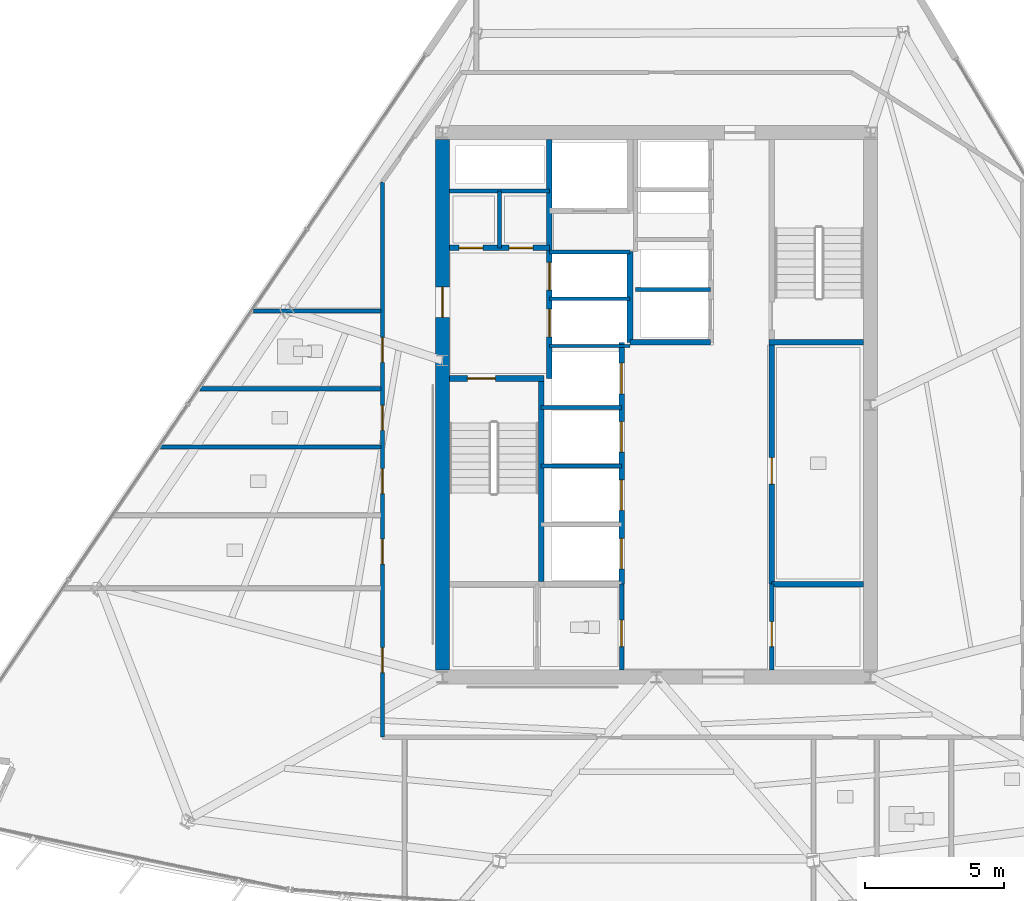
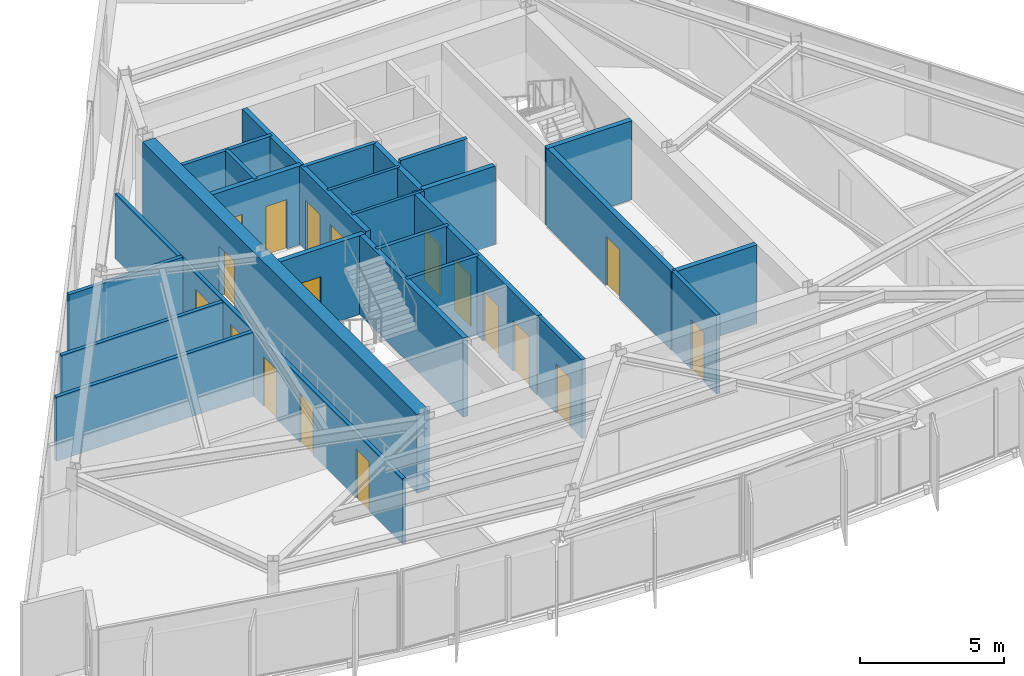
# One storey, part 8 of 15: 25 walls, 18 doors, 18 openings.
"""IFC4 building model written with IfcOpenShell, lengths in metres."""

from ifc_helpers import new_model, si_unit, direction, frame, frame_2d, origin, place, context, subcontext, project, spatial, rectangle, extrude, material, layer, layer_set, type_object, element, fill, save


model = new_model("IFC4")

# Units and contexts
model_context = context("Model", 3, precision=1e-05, world=origin(), true_north=direction((0.0, 1.0)))
body_context = subcontext(model_context, "Body", "Model", "MODEL_VIEW")
ifc_project = project(units=[si_unit("LENGTHUNIT", "METRE"), si_unit("AREAUNIT", "SQUARE_METRE"), si_unit("VOLUMEUNIT", "CUBIC_METRE"), si_unit("PLANEANGLEUNIT", "RADIAN"), si_unit("MASSUNIT", "GRAM", prefix="KILO")], contexts=[model_context])

# Site, building, storey
site_placement = place(None, origin())
site = spatial("IfcSite", under=ifc_project, at=site_placement, CompositionType="ELEMENT")
building_placement = place(site_placement, origin())
building = spatial("IfcBuilding", under=site, at=building_placement, Name="Savorim Split Tower", CompositionType="ELEMENT")
storey_placement = place(building_placement, frame((0.0, 0.0, 201.89990234375)))
storey = spatial("IfcBuildingStorey", under=building, at=storey_placement, Name="L53", CompositionType="ELEMENT", Elevation=201.89990234375)

# Wall, opening, door
ifc_material_1 = material(Name="Concrete C60/75", Category="concrete")
ifc_layer_1 = layer(ifc_material_1, 0.5)
ifc_layer_set_1 = layer_set([ifc_layer_1], Name="WAL-COR-SH500")
wall_type_1 = type_object("IfcWallType", Name="WAL-COR-SH500", PredefinedType="SHEAR", material=ifc_layer_set_1)
wall_1_placement = place(storey_placement, frame((-7.699951171875, -9.14990234375, 0.0), z_axis=(0.0, 0.0, 1.0), x_axis=(0.0, 1.0, 0.0)))
wall_1 = element("IfcWall", 1, at=wall_1_placement, inside=storey, type_object=wall_type_1, Name="L53 Offset Core West Shear Wall", PredefinedType="SHEAR", context=body_context, shape_type="SweptSolid", body=[
    extrude(rectangle(XDim=19.099853515625, YDim=0.5, at=frame_2d((9.5498046875, 0.0))), origin(), (0.0, 0.0, 1.0), 3.35009765625),
])
opening_1_placement = place(wall_1_placement, frame((12.699951171875, 0.0, 0.0)))
opening_1 = element("IfcOpeningElement", 2, at=opening_1_placement, cuts=wall_1, Name="Opening DI-03", PredefinedType="OPENING", context=body_context, shape_type="SweptSolid", body=[
    extrude(rectangle(XDim=1.10009765625, YDim=2.14990234375, at=frame_2d((0.550048828125, 1.074951171875))), frame((0.0, 0.260009765625, 0.0), z_axis=(0.0, -1.0, 0.0), x_axis=(1.0, 0.0, 0.0)), (0.0, 0.0, 1.0), 0.52001953125),
])
ifc_material_2 = material(Name="Timber Fire Door Leaf", Category="wood")
door_type_1 = type_object("IfcDoorType", Name="DOR-FIR-1100", OperationType="NOTDEFINED", PredefinedType="DOOR", material=ifc_material_2)
door_1_placement = place(opening_1_placement, origin())
door_1 = element("IfcDoor", 3, at=door_1_placement, inside=storey, type_object=door_type_1, Name="DOR-L53-COR-FFLOB - L53 Firefighting Lobby Corridor Door", OperationType="SINGLE_SWING_LEFT", OverallHeight=2.14990234375, OverallWidth=1.10009765625, PredefinedType="DOOR", context=body_context, shape_type="SweptSolid", body=[
    extrude(rectangle(XDim=1.10009765625, YDim=2.14990234375, at=frame_2d((0.550048828125, 1.074951171875))), frame((0.0, 0.02490234375, 0.0), z_axis=(0.0, -1.0, 0.0), x_axis=(1.0, 0.0, 0.0)), (0.0, 0.0, 1.0), 0.050048828125),
])
fill(opening_1, door_1)

ifc_material_3 = material(Name="Concrete C50/60", Category="concrete")
ifc_layer_2 = layer(ifc_material_3, 0.199951171875)
ifc_layer_set_2 = layer_set([ifc_layer_2], Name="WAL-INT-RC200")
wall_type_2 = type_object("IfcWallType", Name="WAL-INT-RC200", PredefinedType="SOLIDWALL", material=ifc_layer_set_2)
wall_2_placement = place(storey_placement, frame((-7.449951171875, 1.35009765625, 0.0), z_axis=(0.0, 0.0, 1.0), x_axis=(1.0, 0.0, 0.0)))
wall_2 = element("IfcWall", 4, at=wall_2_placement, inside=storey, type_object=wall_type_2, Name="L53 Structural Shaft Wall W-L53-CR01", PredefinedType="SOLIDWALL", context=body_context, shape_type="SweptSolid", body=[
    extrude(rectangle(XDim=3.39990234375, YDim=0.199951171875, at=frame_2d((1.699951171875, 0.0))), origin(), (0.0, 0.0, 1.0), 3.35009765625),
])
opening_2_placement = place(wall_2_placement, frame((0.64990234375, 0.0, 0.0)))
opening_2 = element("IfcOpeningElement", 5, at=opening_2_placement, cuts=wall_2, Name="Opening DI-04", PredefinedType="OPENING", context=body_context, shape_type="SweptSolid", body=[
    extrude(rectangle(XDim=1.0, YDim=2.14990234375, at=frame_2d((0.5, 1.074951171875))), frame((0.0, 0.10986328125, 0.0), z_axis=(0.0, -1.0, 0.0), x_axis=(1.0, 0.0, 0.0)), (0.0, 0.0, 1.0), 0.219970703125),
])
door_type_2 = type_object("IfcDoorType", Name="DOR-FIR-1000", OperationType="NOTDEFINED", PredefinedType="DOOR", material=ifc_material_2)
door_2_placement = place(opening_2_placement, origin())
door_2 = element("IfcDoor", 6, at=door_2_placement, inside=storey, type_object=door_type_2, Name="DR-L53-ST1 - L53 Stair ST-1 Enclosure Door", OperationType="SINGLE_SWING_LEFT", OverallHeight=2.14990234375, OverallWidth=1.0, PredefinedType="DOOR", context=body_context, shape_type="SweptSolid", body=[
    extrude(rectangle(XDim=1.0, YDim=2.14990234375, at=frame_2d((0.5, 1.074951171875))), frame((0.0, 0.02490234375, 0.0), z_axis=(0.0, -1.0, 0.0), x_axis=(1.0, 0.0, 0.0)), (0.0, 0.0, 1.0), 0.050048828125),
])
fill(opening_2, door_2)

# Wall
wall_3_placement = place(storey_placement, frame((-4.14990234375, -5.949951171875, 0.0), z_axis=(0.0, 0.0, 1.0), x_axis=(0.0, 1.0, 0.0)))
element("IfcWall", 7, at=wall_3_placement, inside=storey, type_object=wall_type_2, Name="L53 Structural Shaft Wall W-L53-CR02", PredefinedType="SOLIDWALL", context=body_context, shape_type="SweptSolid", body=[
    extrude(rectangle(XDim=7.199951171875, YDim=0.199951171875, at=frame_2d((3.60009765625, 0.0))), origin(), (0.0, 0.0, 1.0), 3.35009765625),
])

# Wall, openings, doors
wall_4_placement = place(storey_placement, frame((-3.85009765625, 1.35009765625, 0.0), z_axis=(0.0, 0.0, 1.0), x_axis=(0.0, 1.0, 0.0)))
wall_4 = element("IfcWall", 8, at=wall_4_placement, inside=storey, type_object=wall_type_2, Name="L53 Partition W-L53-CR03", PredefinedType="SOLIDWALL", context=body_context, shape_type="SweptSolid", body=[
    extrude(rectangle(XDim=8.594970703125, YDim=0.199951171875, at=frame_2d((4.29736328125, 0.0))), origin(), (0.0, 0.0, 1.0), 3.35009765625),
])
opening_3_placement = place(wall_4_placement, frame((1.5, 0.0, 0.0)))
opening_3 = element("IfcOpeningElement", 9, at=opening_3_placement, cuts=wall_4, Name="Opening LD-FFL", PredefinedType="OPENING", context=body_context, shape_type="SweptSolid", body=[
    extrude(rectangle(XDim=1.0, YDim=2.14990234375, at=frame_2d((0.5, 1.074951171875))), frame((0.0, 0.10986328125, 0.0), z_axis=(0.0, -1.0, 0.0), x_axis=(1.0, 0.0, 0.0)), (0.0, 0.0, 1.0), 0.219970703125),
])
opening_4_placement = place(wall_4_placement, frame((3.179931640625, 0.0, 0.0)))
opening_4 = element("IfcOpeningElement", 10, at=opening_4_placement, cuts=wall_4, Name="Opening LD-FFL", PredefinedType="OPENING", context=body_context, shape_type="SweptSolid", body=[
    extrude(rectangle(XDim=1.0, YDim=2.14990234375, at=frame_2d((0.5, 1.074951171875))), frame((0.0, 0.10986328125, 0.0), z_axis=(0.0, -1.0, 0.0), x_axis=(1.0, 0.0, 0.0)), (0.0, 0.0, 1.0), 0.219970703125),
])
ifc_material_4 = material(Name="Charcoal Anodised Aluminium", Category="aluminium")
door_type_3 = type_object("IfcDoorType", Name="DOR-SLD-LD1000", OperationType="NOTDEFINED", PredefinedType="DOOR", material=ifc_material_4)
door_3_placement = place(opening_3_placement, origin())
door_3 = element("IfcDoor", 11, at=door_3_placement, inside=storey, type_object=door_type_3, Name="DR-L53-LD-FFL1 - L53 Firefighting Lift FFL-1 Sliding Landing Door", OperationType="DOUBLE_DOOR_SLIDING", OverallHeight=2.14990234375, OverallWidth=1.0, PredefinedType="DOOR", context=body_context, shape_type="SweptSolid", body=[
    extrude(rectangle(XDim=1.0, YDim=2.14990234375, at=frame_2d((0.5, 1.074951171875))), frame((0.0, 0.02490234375, 0.0), z_axis=(0.0, -1.0, 0.0), x_axis=(1.0, 0.0, 0.0)), (0.0, 0.0, 1.0), 0.050048828125),
])
fill(opening_3, door_3)
door_4_placement = place(opening_4_placement, origin())
door_4 = element("IfcDoor", 12, at=door_4_placement, inside=storey, type_object=door_type_3, Name="DR-L53-LD-FFL2 - L53 Firefighting Lift FFL-2 Sliding Landing Door", OperationType="DOUBLE_DOOR_SLIDING", OverallHeight=2.14990234375, OverallWidth=1.0, PredefinedType="DOOR", context=body_context, shape_type="SweptSolid", body=[
    extrude(rectangle(XDim=1.0, YDim=2.14990234375, at=frame_2d((0.5, 1.074951171875))), frame((0.0, 0.02490234375, 0.0), z_axis=(0.0, -1.0, 0.0), x_axis=(1.0, 0.0, 0.0)), (0.0, 0.0, 1.0), 0.050048828125),
])
fill(opening_4, door_4)

wall_5_placement = place(storey_placement, frame((-7.445068359375, 6.050048828125, 0.0), z_axis=(0.0, 0.0, 1.0), x_axis=(1.0, 0.0, 0.0)))
wall_5 = element("IfcWall", 13, at=wall_5_placement, inside=storey, type_object=wall_type_2, Name="L53 Partition W-L53-CR04", PredefinedType="SOLIDWALL", context=body_context, shape_type="SweptSolid", body=[
    extrude(rectangle(XDim=3.594970703125, YDim=0.199951171875, at=frame_2d((1.79736328125, 0.0))), origin(), (0.0, 0.0, 1.0), 3.35009765625),
])
opening_5_placement = place(wall_5_placement, frame((0.344970703125, 0.0, 0.0)))
opening_5 = element("IfcOpeningElement", 14, at=opening_5_placement, cuts=wall_5, Name="Opening DI-12", PredefinedType="OPENING", context=body_context, shape_type="SweptSolid", body=[
    extrude(rectangle(XDim=0.85009765625, YDim=2.10009765625, at=frame_2d((0.425048828125, 1.050048828125))), frame((0.0, 0.10986328125, 0.0), z_axis=(0.0, -1.0, 0.0), x_axis=(1.0, 0.0, 0.0)), (0.0, 0.0, 1.0), 0.219970703125),
])
opening_6_placement = place(wall_5_placement, frame((2.14501953125, 0.0, 0.0)))
opening_6 = element("IfcOpeningElement", 15, at=opening_6_placement, cuts=wall_5, Name="Opening DI-12", PredefinedType="OPENING", context=body_context, shape_type="SweptSolid", body=[
    extrude(rectangle(XDim=0.85009765625, YDim=2.10009765625, at=frame_2d((0.425048828125, 1.050048828125))), frame((0.0, 0.10986328125, 0.0), z_axis=(0.0, -1.0, 0.0), x_axis=(1.0, 0.0, 0.0)), (0.0, 0.0, 1.0), 0.219970703125),
])
ifc_material_5 = material(Name="Galvanised Painted Steel Balustrade", Category="steel")
door_type_4 = type_object("IfcDoorType", Name="DOR-RIS-850", OperationType="NOTDEFINED", PredefinedType="DOOR", material=ifc_material_5)
door_5_placement = place(opening_5_placement, origin())
door_5 = element("IfcDoor", 16, at=door_5_placement, inside=storey, type_object=door_type_4, Name="DR-L53-ELR - L53 Electrical Riser Access Door", OperationType="SINGLE_SWING_RIGHT", OverallHeight=2.10009765625, OverallWidth=0.85009765625, PredefinedType="DOOR", context=body_context, shape_type="SweptSolid", body=[
    extrude(rectangle(XDim=0.85009765625, YDim=2.10009765625, at=frame_2d((0.425048828125, 1.050048828125))), frame((0.0, 0.02490234375, 0.0), z_axis=(0.0, -1.0, 0.0), x_axis=(1.0, 0.0, 0.0)), (0.0, 0.0, 1.0), 0.050048828125),
])
fill(opening_5, door_5)
door_6_placement = place(opening_6_placement, origin())
door_6 = element("IfcDoor", 17, at=door_6_placement, inside=storey, type_object=door_type_4, Name="DR-L53-TLR - L53 Telecom Riser Access Door", OperationType="SINGLE_SWING_LEFT", OverallHeight=2.10009765625, OverallWidth=0.85009765625, PredefinedType="DOOR", context=body_context, shape_type="SweptSolid", body=[
    extrude(rectangle(XDim=0.85009765625, YDim=2.10009765625, at=frame_2d((0.425048828125, 1.050048828125))), frame((0.0, 0.02490234375, 0.0), z_axis=(0.0, -1.0, 0.0), x_axis=(1.0, 0.0, 0.0)), (0.0, 0.0, 1.0), 0.050048828125),
])
fill(opening_6, door_6)

# Walls
wall_6_placement = place(storey_placement, frame((4.050048828125, 2.64990234375, 0.0), z_axis=(0.0, 0.0, 1.0), x_axis=(1.0, 0.0, 0.0)))
element("IfcWall", 18, at=wall_6_placement, inside=storey, type_object=wall_type_2, Name="L53 Structural Shaft Wall W-L53-CR08", PredefinedType="SOLIDWALL", context=body_context, shape_type="SweptSolid", body=[
    extrude(rectangle(XDim=3.39990234375, YDim=0.199951171875, at=frame_2d((1.699951171875, 0.0))), origin(), (0.0, 0.0, 1.0), 3.35009765625),
])
wall_7_placement = place(storey_placement, frame((-0.949951171875, 2.64990234375, 0.0), z_axis=(0.0, 0.0, 1.0), x_axis=(0.0, 1.0, 0.0)))
element("IfcWall", 19, at=wall_7_placement, inside=storey, type_object=wall_type_2, Name="L53 Partition W-L53-FFLW", PredefinedType="SOLIDWALL", context=body_context, shape_type="SweptSolid", body=[
    extrude(rectangle(XDim=3.27001953125, YDim=0.199951171875, at=frame_2d((1.635009765625, 0.0))), origin(), (0.0, 0.0, 1.0), 3.35009765625),
])

# Wall, opening, door
wall_8_placement = place(storey_placement, frame((4.14990234375, -6.050048828125, 0.0), z_axis=(0.0, 0.0, 1.0), x_axis=(0.0, 1.0, 0.0)))
wall_8 = element("IfcWall", 20, at=wall_8_placement, inside=storey, type_object=wall_type_2, Name="L53 Partition W-L53-B1FRONT", PredefinedType="SOLIDWALL", context=body_context, shape_type="SweptSolid", body=[
    extrude(rectangle(XDim=8.699951171875, YDim=0.199951171875, at=frame_2d((4.35009765625, 0.0))), origin(), (0.0, 0.0, 1.0), 3.35009765625),
])
opening_7_placement = place(wall_8_placement, frame((3.60009765625, 0.0, 0.0)))
opening_7 = element("IfcOpeningElement", 21, at=opening_7_placement, cuts=wall_8, Name="Opening DI-05", PredefinedType="OPENING", context=body_context, shape_type="SweptSolid", body=[
    extrude(rectangle(XDim=0.949951171875, YDim=2.10009765625, at=frame_2d((0.47509765625, 1.050048828125))), frame((0.0, 0.10986328125, 0.0), z_axis=(0.0, -1.0, 0.0), x_axis=(1.0, 0.0, 0.0)), (0.0, 0.0, 1.0), 0.219970703125),
])
door_type_5 = type_object("IfcDoorType", Name="DOR-FIR-950", OperationType="NOTDEFINED", PredefinedType="DOOR", material=ifc_material_2)
door_7_placement = place(opening_7_placement, origin())
door_7 = element("IfcDoor", 22, at=door_7_placement, inside=storey, type_object=door_type_5, Name="DR-L53-LV7B1 - L53 Community Laundry Room Door", OperationType="SINGLE_SWING_RIGHT", OverallHeight=2.10009765625, OverallWidth=0.949951171875, PredefinedType="DOOR", context=body_context, shape_type="SweptSolid", body=[
    extrude(rectangle(XDim=0.949951171875, YDim=2.10009765625, at=frame_2d((0.47509765625, 1.050048828125))), frame((0.0, 0.02490234375, 0.0), z_axis=(0.0, -1.0, 0.0), x_axis=(1.0, 0.0, 0.0)), (0.0, 0.0, 1.0), 0.050048828125),
])
fill(opening_7, door_7)

# Wall, openings, doors
wall_9_placement = place(storey_placement, frame((-1.25, -6.050048828125, 0.0), z_axis=(0.0, 0.0, 1.0), x_axis=(0.0, 1.0, 0.0)))
wall_9 = element("IfcWall", 23, at=wall_9_placement, inside=storey, type_object=wall_type_2, Name="L53 Partition W-L53-B2FRONT", PredefinedType="SOLIDWALL", context=body_context, shape_type="SweptSolid", body=[
    extrude(rectangle(XDim=8.699951171875, YDim=0.199951171875, at=frame_2d((4.35009765625, 0.0))), origin(), (0.0, 0.0, 1.0), 3.35009765625),
])
opening_8_placement = place(wall_9_placement, frame((0.550048828125, 0.0, 0.0)))
opening_8 = element("IfcOpeningElement", 24, at=opening_8_placement, cuts=wall_9, Name="Opening LD-02", PredefinedType="OPENING", context=body_context, shape_type="SweptSolid", body=[
    extrude(rectangle(XDim=1.10009765625, YDim=2.14990234375, at=frame_2d((0.550048828125, 1.074951171875))), frame((0.0, 0.10986328125, 0.0), z_axis=(0.0, -1.0, 0.0), x_axis=(1.0, 0.0, 0.0)), (0.0, 0.0, 1.0), 0.219970703125),
])
opening_9_placement = place(wall_9_placement, frame((2.64990234375, 0.0, 0.0)))
opening_9 = element("IfcOpeningElement", 25, at=opening_9_placement, cuts=wall_9, Name="Opening LD-02", PredefinedType="OPENING", context=body_context, shape_type="SweptSolid", body=[
    extrude(rectangle(XDim=1.10009765625, YDim=2.14990234375, at=frame_2d((0.550048828125, 1.074951171875))), frame((0.0, 0.10986328125, 0.0), z_axis=(0.0, -1.0, 0.0), x_axis=(1.0, 0.0, 0.0)), (0.0, 0.0, 1.0), 0.219970703125),
])
opening_10_placement = place(wall_9_placement, frame((4.75, 0.0, 0.0)))
opening_10 = element("IfcOpeningElement", 26, at=opening_10_placement, cuts=wall_9, Name="Opening LD-02", PredefinedType="OPENING", context=body_context, shape_type="SweptSolid", body=[
    extrude(rectangle(XDim=1.10009765625, YDim=2.14990234375, at=frame_2d((0.550048828125, 1.074951171875))), frame((0.0, 0.10986328125, 0.0), z_axis=(0.0, -1.0, 0.0), x_axis=(1.0, 0.0, 0.0)), (0.0, 0.0, 1.0), 0.219970703125),
])
opening_11_placement = place(wall_9_placement, frame((6.85009765625, 0.0, 0.0)))
opening_11 = element("IfcOpeningElement", 27, at=opening_11_placement, cuts=wall_9, Name="Opening LD-02", PredefinedType="OPENING", context=body_context, shape_type="SweptSolid", body=[
    extrude(rectangle(XDim=1.10009765625, YDim=2.14990234375, at=frame_2d((0.550048828125, 1.074951171875))), frame((0.0, 0.10986328125, 0.0), z_axis=(0.0, -1.0, 0.0), x_axis=(1.0, 0.0, 0.0)), (0.0, 0.0, 1.0), 0.219970703125),
])
door_type_6 = type_object("IfcDoorType", Name="DOR-SLD-LDM1100", OperationType="NOTDEFINED", PredefinedType="DOOR", material=ifc_material_4)
door_8_placement = place(opening_8_placement, origin())
door_8 = element("IfcDoor", 28, at=door_8_placement, inside=storey, type_object=door_type_6, Name="DR-L53-LD-PLM1 - L53 Lift PL-M1 Sliding Landing Door", OperationType="DOUBLE_DOOR_SLIDING", OverallHeight=2.14990234375, OverallWidth=1.10009765625, PredefinedType="DOOR", context=body_context, shape_type="SweptSolid", body=[
    extrude(rectangle(XDim=1.10009765625, YDim=2.14990234375, at=frame_2d((0.550048828125, 1.074951171875))), frame((0.0, 0.02490234375, 0.0), z_axis=(0.0, -1.0, 0.0), x_axis=(1.0, 0.0, 0.0)), (0.0, 0.0, 1.0), 0.050048828125),
])
fill(opening_8, door_8)
door_9_placement = place(opening_9_placement, origin())
door_9 = element("IfcDoor", 29, at=door_9_placement, inside=storey, type_object=door_type_6, Name="DR-L53-LD-PLM2 - L53 Lift PL-M2 Sliding Landing Door", OperationType="DOUBLE_DOOR_SLIDING", OverallHeight=2.14990234375, OverallWidth=1.10009765625, PredefinedType="DOOR", context=body_context, shape_type="SweptSolid", body=[
    extrude(rectangle(XDim=1.10009765625, YDim=2.14990234375, at=frame_2d((0.550048828125, 1.074951171875))), frame((0.0, 0.02490234375, 0.0), z_axis=(0.0, -1.0, 0.0), x_axis=(1.0, 0.0, 0.0)), (0.0, 0.0, 1.0), 0.050048828125),
])
fill(opening_9, door_9)
door_10_placement = place(opening_10_placement, origin())
door_10 = element("IfcDoor", 30, at=door_10_placement, inside=storey, type_object=door_type_6, Name="DR-L53-LD-PLM3 - L53 Lift PL-M3 Sliding Landing Door", OperationType="DOUBLE_DOOR_SLIDING", OverallHeight=2.14990234375, OverallWidth=1.10009765625, PredefinedType="DOOR", context=body_context, shape_type="SweptSolid", body=[
    extrude(rectangle(XDim=1.10009765625, YDim=2.14990234375, at=frame_2d((0.550048828125, 1.074951171875))), frame((0.0, 0.02490234375, 0.0), z_axis=(0.0, -1.0, 0.0), x_axis=(1.0, 0.0, 0.0)), (0.0, 0.0, 1.0), 0.050048828125),
])
fill(opening_10, door_10)
door_11_placement = place(opening_11_placement, origin())
door_11 = element("IfcDoor", 31, at=door_11_placement, inside=storey, type_object=door_type_6, Name="DR-L53-LD-PLM4 - L53 Lift PL-M4 Sliding Landing Door", OperationType="DOUBLE_DOOR_SLIDING", OverallHeight=2.14990234375, OverallWidth=1.10009765625, PredefinedType="DOOR", context=body_context, shape_type="SweptSolid", body=[
    extrude(rectangle(XDim=1.10009765625, YDim=2.14990234375, at=frame_2d((0.550048828125, 1.074951171875))), frame((0.0, 0.02490234375, 0.0), z_axis=(0.0, -1.0, 0.0), x_axis=(1.0, 0.0, 0.0)), (0.0, 0.0, 1.0), 0.050048828125),
])
fill(opening_11, door_11)

# Walls
wall_10_placement = place(storey_placement, frame((-0.949951171875, 2.64990234375, 0.0), z_axis=(0.0, 0.0, 1.0), x_axis=(1.0, 0.0, 0.0)))
element("IfcWall", 32, at=wall_10_placement, inside=storey, type_object=wall_type_2, Name="L53 Partition W-L53-B3SOUTH", PredefinedType="SOLIDWALL", context=body_context, shape_type="SweptSolid", body=[
    extrude(rectangle(XDim=2.89990234375, YDim=0.199951171875, at=frame_2d((1.449951171875, 0.0))), origin(), (0.0, 0.0, 1.0), 3.35009765625),
])
wall_11_placement = place(storey_placement, frame((4.14990234375, -6.050048828125, 0.0), z_axis=(0.0, 0.0, 1.0), x_axis=(1.0, 0.0, 0.0)))
element("IfcWall", 33, at=wall_11_placement, inside=storey, type_object=wall_type_2, Name="L53 Partition W-L53-KSEP-E", PredefinedType="SOLIDWALL", context=body_context, shape_type="SweptSolid", body=[
    extrude(rectangle(XDim=3.295166015625, YDim=0.199951171875, at=frame_2d((1.6474609375, 0.0))), origin(), (0.0, 0.0, 1.0), 3.35009765625),
])
ifc_material_6 = material(Name="Acoustic Gypsum Partition Board")
ifc_layer_3 = layer(ifc_material_6, 0.1201171875)
ifc_layer_set_3 = layer_set([ifc_layer_3], Name="WAL-PAR-120")
wall_type_3 = type_object("IfcWallType", Name="WAL-PAR-120", PredefinedType="PARTITIONING", material=ifc_layer_set_3)
for number, where, z_axis, x_axis, name in (
    (34, (-3.85009765625, 2.52001953125, 0.0), (0.0, 0.0, 1.0), (1.0, 0.0, 0.0), "L53 Partition W-L53-FFLD0"),
    (35, (-3.85009765625, 4.219970703125, 0.0), (0.0, 0.0, 1.0), (1.0, 0.0, 0.0), "L53 Partition W-L53-FFLD1"),
):
    element("IfcWall", number, at=place(storey_placement, frame(where, z_axis=z_axis, x_axis=x_axis)), inside=storey, type_object=wall_type_3, Name=name, PredefinedType="PARTITIONING", context=body_context, shape_type="SweptSolid", body=[
        extrude(rectangle(XDim=2.900146484375, YDim=0.1201171875, at=frame_2d((1.4501953125, 0.0))), origin(), (0.0, 0.0, 1.0), 3.35009765625),
    ])
ifc_layer_4 = layer(ifc_material_6, 0.14990234375)
ifc_layer_set_4 = layer_set([ifc_layer_4], Name="WAL-PAR-150")
wall_type_4 = type_object("IfcWallType", Name="WAL-PAR-150", PredefinedType="PARTITIONING", material=ifc_layer_set_4)
wall_12_placement = place(storey_placement, frame((-7.445068359375, 8.10009765625, 0.0), z_axis=(0.0, 0.0, 1.0), x_axis=(1.0, 0.0, 0.0)))
element("IfcWall", 36, at=wall_12_placement, inside=storey, type_object=wall_type_4, Name="L53 Partition W-L53-CR05", PredefinedType="PARTITIONING", context=body_context, shape_type="SweptSolid", body=[
    extrude(rectangle(XDim=3.594970703125, YDim=0.14990234375, at=frame_2d((1.79736328125, 0.0))), origin(), (0.0, 0.0, 1.0), 3.35009765625),
])
wall_13_placement = place(storey_placement, frame((-5.64990234375, 6.050048828125, 0.0), z_axis=(0.0, 0.0, 1.0), x_axis=(0.0, 1.0, 0.0)))
element("IfcWall", 37, at=wall_13_placement, inside=storey, type_object=wall_type_4, Name="L53 Partition W-L53-CR06", PredefinedType="PARTITIONING", context=body_context, shape_type="SweptSolid", body=[
    extrude(rectangle(XDim=2.050048828125, YDim=0.14990234375, at=frame_2d((1.02490234375, 0.0))), origin(), (0.0, 0.0, 1.0), 3.35009765625),
])
wall_14_placement = place(storey_placement, frame((-3.85009765625, 5.89990234375, 0.0), z_axis=(0.0, 0.0, 1.0), x_axis=(1.0, 0.0, 0.0)))
element("IfcWall", 38, at=wall_14_placement, inside=storey, type_object=wall_type_4, Name="L53 Partition W-L53-FFLD2", PredefinedType="PARTITIONING", context=body_context, shape_type="SweptSolid", body=[
    extrude(rectangle(XDim=2.900146484375, YDim=0.14990234375, at=frame_2d((1.4501953125, 0.0))), origin(), (0.0, 0.0, 1.0), 3.35009765625),
])
for number, where, z_axis, x_axis, name in (
    (39, (-4.14990234375, -1.800048828125, 0.0), (0.0, 0.0, 1.0), (1.0, 0.0, 0.0), "L53 Partition W-L53-B2DIV2"),
    (40, (-4.14990234375, 0.300048828125, 0.0), (0.0, 0.0, 1.0), (1.0, 0.0, 0.0), "L53 Partition W-L53-B2DIV3"),
):
    element("IfcWall", number, at=place(storey_placement, frame(where, z_axis=z_axis, x_axis=x_axis)), inside=storey, type_object=wall_type_4, Name=name, PredefinedType="PARTITIONING", context=body_context, shape_type="SweptSolid", body=[
        extrude(rectangle(XDim=2.89990234375, YDim=0.14990234375, at=frame_2d((1.449951171875, 0.0))), origin(), (0.0, 0.0, 1.0), 3.35009765625),
    ])
wall_15_placement = place(storey_placement, frame((-0.75, 4.550048828125, 0.0), z_axis=(0.0, 0.0, 1.0), x_axis=(1.0, 0.0, 0.0)))
element("IfcWall", 41, at=wall_15_placement, inside=storey, type_object=wall_type_4, Name="L53 Partition W-L53-B3DIV1", PredefinedType="PARTITIONING", context=body_context, shape_type="SweptSolid", body=[
    extrude(rectangle(XDim=2.699951171875, YDim=0.14990234375, at=frame_2d((1.35009765625, 0.0))), origin(), (0.0, 0.0, 1.0), 3.35009765625),
])

# Wall, opening, door
wall_16_placement = place(storey_placement, frame((-1.25, -9.14501953125, 0.0), z_axis=(0.0, 0.0, 1.0), x_axis=(0.0, 1.0, 0.0)))
wall_16 = element("IfcWall", 42, at=wall_16_placement, inside=storey, type_object=wall_type_4, Name="L53 Partition W-L53-KLOB-W", PredefinedType="PARTITIONING", context=body_context, shape_type="SweptSolid", body=[
    extrude(rectangle(XDim=3.094970703125, YDim=0.14990234375, at=frame_2d((1.54736328125, 0.0))), origin(), (0.0, 0.0, 1.0), 3.35009765625),
])
opening_12_placement = place(wall_16_placement, frame((0.844970703125, 0.0, 0.0)))
opening_12 = element("IfcOpeningElement", 43, at=opening_12_placement, cuts=wall_16, Name="Opening DI-10", PredefinedType="OPENING", context=body_context, shape_type="SweptSolid", body=[
    extrude(rectangle(XDim=0.949951171875, YDim=2.10009765625, at=frame_2d((0.47509765625, 1.050048828125))), frame((0.0, 0.0849609375, 0.0), z_axis=(0.0, -1.0, 0.0), x_axis=(1.0, 0.0, 0.0)), (0.0, 0.0, 1.0), 0.169921875),
])
ifc_material_7 = material(Name="Oak Veneer Acoustic Door")
door_type_7 = type_object("IfcDoorType", Name="DOR-WC-950", OperationType="NOTDEFINED", PredefinedType="DOOR", material=ifc_material_7)
door_12_placement = place(opening_12_placement, origin())
door_12 = element("IfcDoor", 44, at=door_12_placement, inside=storey, type_object=door_type_7, Name="DR-L53-K1WC - L53 Core Accessible WC Door", OperationType="SINGLE_SWING_LEFT", OverallHeight=2.10009765625, OverallWidth=0.949951171875, PredefinedType="DOOR", context=body_context, shape_type="SweptSolid", body=[
    extrude(rectangle(XDim=0.949951171875, YDim=2.10009765625, at=frame_2d((0.47509765625, 1.050048828125))), frame((0.0, 0.02490234375, 0.0), z_axis=(0.0, -1.0, 0.0), x_axis=(1.0, 0.0, 0.0)), (0.0, 0.0, 1.0), 0.050048828125),
])
fill(opening_12, door_12)

wall_17_placement = place(storey_placement, frame((4.14990234375, -9.14501953125, 0.0), z_axis=(0.0, 0.0, 1.0), x_axis=(0.0, 1.0, 0.0)))
wall_17 = element("IfcWall", 45, at=wall_17_placement, inside=storey, type_object=wall_type_4, Name="L53 Partition W-L53-KLOB-E", PredefinedType="PARTITIONING", context=body_context, shape_type="SweptSolid", body=[
    extrude(rectangle(XDim=3.094970703125, YDim=0.14990234375, at=frame_2d((1.54736328125, 0.0))), origin(), (0.0, 0.0, 1.0), 3.35009765625),
])
opening_13_placement = place(wall_17_placement, frame((0.844970703125, 0.0, 0.0)))
opening_13 = element("IfcOpeningElement", 46, at=opening_13_placement, cuts=wall_17, Name="Opening DI-06", PredefinedType="OPENING", context=body_context, shape_type="SweptSolid", body=[
    extrude(rectangle(XDim=0.89990234375, YDim=2.10009765625, at=frame_2d((0.449951171875, 1.050048828125))), frame((0.0, 0.0849609375, 0.0), z_axis=(0.0, -1.0, 0.0), x_axis=(1.0, 0.0, 0.0)), (0.0, 0.0, 1.0), 0.169921875),
])
door_type_8 = type_object("IfcDoorType", Name="DOR-FIR-900", OperationType="NOTDEFINED", PredefinedType="DOOR", material=ifc_material_2)
door_13_placement = place(opening_13_placement, origin())
door_13 = element("IfcDoor", 47, at=door_13_placement, inside=storey, type_object=door_type_8, Name="DR-L53-K1IT - L53 Core IT Room Door", OperationType="SINGLE_SWING_LEFT", OverallHeight=2.10009765625, OverallWidth=0.89990234375, PredefinedType="DOOR", context=body_context, shape_type="SweptSolid", body=[
    extrude(rectangle(XDim=0.89990234375, YDim=2.10009765625, at=frame_2d((0.449951171875, 1.050048828125))), frame((0.0, 0.02490234375, 0.0), z_axis=(0.0, -1.0, 0.0), x_axis=(1.0, 0.0, 0.0)), (0.0, 0.0, 1.0), 0.050048828125),
])
fill(opening_13, door_13)

# Wall, openings, doors
wall_18_placement = place(storey_placement, frame((-9.860107421875, -11.56005859375, 0.0), z_axis=(0.0, 0.0, 1.0), x_axis=(0.0, 1.0, 0.0)))
wall_18 = element("IfcWall", 48, at=wall_18_placement, inside=storey, type_object=wall_type_4, Name="L53 Partition W-L53-COR-01", PredefinedType="PARTITIONING", context=body_context, shape_type="SweptSolid", body=[
    extrude(rectangle(XDim=19.98583984375, YDim=0.14990234375, at=frame_2d((9.992919921875, 0.0))), origin(), (0.0, 0.0, 1.0), 2.775146484375),
])
opening_14_placement = place(wall_18_placement, frame((11.041015625, 0.0, 0.0)))
opening_14 = element("IfcOpeningElement", 49, at=opening_14_placement, cuts=wall_18, Name="Opening DI-06", PredefinedType="OPENING", context=body_context, shape_type="SweptSolid", body=[
    extrude(rectangle(XDim=0.89990234375, YDim=2.10009765625, at=frame_2d((0.449951171875, 1.050048828125))), frame((0.0, 0.0849609375, 0.0), z_axis=(0.0, -1.0, 0.0), x_axis=(1.0, 0.0, 0.0)), (0.0, 0.0, 1.0), 0.169921875),
])
opening_15_placement = place(wall_18_placement, frame((8.76611328125, 0.0, 0.0)))
opening_15 = element("IfcOpeningElement", 50, at=opening_15_placement, cuts=wall_18, Name="Opening DI-06", PredefinedType="OPENING", context=body_context, shape_type="SweptSolid", body=[
    extrude(rectangle(XDim=0.89990234375, YDim=2.10009765625, at=frame_2d((0.449951171875, 1.050048828125))), frame((0.0, 0.0849609375, 0.0), z_axis=(0.0, -1.0, 0.0), x_axis=(1.0, 0.0, 0.0)), (0.0, 0.0, 1.0), 0.169921875),
])
opening_16_placement = place(wall_18_placement, frame((6.226806640625, 0.0, 0.0)))
opening_16 = element("IfcOpeningElement", 51, at=opening_16_placement, cuts=wall_18, Name="Opening DI-06", PredefinedType="OPENING", context=body_context, shape_type="SweptSolid", body=[
    extrude(rectangle(XDim=0.89990234375, YDim=2.10009765625, at=frame_2d((0.449951171875, 1.050048828125))), frame((0.0, 0.0849609375, 0.0), z_axis=(0.0, -1.0, 0.0), x_axis=(1.0, 0.0, 0.0)), (0.0, 0.0, 1.0), 0.169921875),
])
opening_17_placement = place(wall_18_placement, frame((2.32080078125, 0.0, 0.0)))
opening_17 = element("IfcOpeningElement", 52, at=opening_17_placement, cuts=wall_18, Name="Opening DI-06", PredefinedType="OPENING", context=body_context, shape_type="SweptSolid", body=[
    extrude(rectangle(XDim=0.89990234375, YDim=2.10009765625, at=frame_2d((0.449951171875, 1.050048828125))), frame((0.0, 0.0849609375, 0.0), z_axis=(0.0, -1.0, 0.0), x_axis=(1.0, 0.0, 0.0)), (0.0, 0.0, 1.0), 0.169921875),
])
opening_18_placement = place(wall_18_placement, frame((13.492431640625, 0.0, 0.0)))
opening_18 = element("IfcOpeningElement", 53, at=opening_18_placement, cuts=wall_18, Name="Opening DI-11", PredefinedType="OPENING", context=body_context, shape_type="SweptSolid", body=[
    extrude(rectangle(XDim=0.89990234375, YDim=2.10009765625, at=frame_2d((0.449951171875, 1.050048828125))), frame((0.0, 0.0849609375, 0.0), z_axis=(0.0, -1.0, 0.0), x_axis=(1.0, 0.0, 0.0)), (0.0, 0.0, 1.0), 0.169921875),
])
door_14_placement = place(opening_14_placement, origin())
door_14 = element("IfcDoor", 54, at=door_14_placement, inside=storey, type_object=door_type_8, Name="DR-L53-RM01 - L53 Shared Kitchen Entry Door", OperationType="SINGLE_SWING_RIGHT", OverallHeight=2.10009765625, OverallWidth=0.89990234375, PredefinedType="DOOR", context=body_context, shape_type="SweptSolid", body=[
    extrude(rectangle(XDim=0.89990234375, YDim=2.10009765625, at=frame_2d((0.449951171875, 1.050048828125))), frame((0.0, 0.02490234375, 0.0), z_axis=(0.0, -1.0, 0.0), x_axis=(1.0, 0.0, 0.0)), (0.0, 0.0, 1.0), 0.050048828125),
])
fill(opening_14, door_14)
door_15_placement = place(opening_15_placement, origin())
door_15 = element("IfcDoor", 55, at=door_15_placement, inside=storey, type_object=door_type_8, Name="DR-L53-RM02 - L53 Community Laundry Room Entry Door", OperationType="SINGLE_SWING_LEFT", OverallHeight=2.10009765625, OverallWidth=0.89990234375, PredefinedType="DOOR", context=body_context, shape_type="SweptSolid", body=[
    extrude(rectangle(XDim=0.89990234375, YDim=2.10009765625, at=frame_2d((0.449951171875, 1.050048828125))), frame((0.0, 0.02490234375, 0.0), z_axis=(0.0, -1.0, 0.0), x_axis=(1.0, 0.0, 0.0)), (0.0, 0.0, 1.0), 0.050048828125),
])
fill(opening_15, door_15)
door_16_placement = place(opening_16_placement, origin())
door_16 = element("IfcDoor", 56, at=door_16_placement, inside=storey, type_object=door_type_8, Name="DR-L53-RM03 - L53 Shared Kitchen Entry Door", OperationType="SINGLE_SWING_RIGHT", OverallHeight=2.10009765625, OverallWidth=0.89990234375, PredefinedType="DOOR", context=body_context, shape_type="SweptSolid", body=[
    extrude(rectangle(XDim=0.89990234375, YDim=2.10009765625, at=frame_2d((0.449951171875, 1.050048828125))), frame((0.0, 0.02490234375, 0.0), z_axis=(0.0, -1.0, 0.0), x_axis=(1.0, 0.0, 0.0)), (0.0, 0.0, 1.0), 0.050048828125),
])
fill(opening_16, door_16)
door_17_placement = place(opening_17_placement, origin())
door_17 = element("IfcDoor", 57, at=door_17_placement, inside=storey, type_object=door_type_8, Name="DR-L53-RM04 - L53 Maker Workshop Entry Door", OperationType="SINGLE_SWING_LEFT", OverallHeight=2.10009765625, OverallWidth=0.89990234375, PredefinedType="DOOR", context=body_context, shape_type="SweptSolid", body=[
    extrude(rectangle(XDim=0.89990234375, YDim=2.10009765625, at=frame_2d((0.449951171875, 1.050048828125))), frame((0.0, 0.02490234375, 0.0), z_axis=(0.0, -1.0, 0.0), x_axis=(1.0, 0.0, 0.0)), (0.0, 0.0, 1.0), 0.050048828125),
])
fill(opening_17, door_17)
door_type_9 = type_object("IfcDoorType", Name="DOR-WC-900", OperationType="NOTDEFINED", PredefinedType="DOOR", material=ifc_material_7)
door_18_placement = place(opening_18_placement, origin())
door_18 = element("IfcDoor", 58, at=door_18_placement, inside=storey, type_object=door_type_9, Name="DR-L53-RM15 - L53 Shared Bathroom Entry Door", OperationType="SINGLE_SWING_RIGHT", OverallHeight=2.10009765625, OverallWidth=0.89990234375, PredefinedType="DOOR", context=body_context, shape_type="SweptSolid", body=[
    extrude(rectangle(XDim=0.89990234375, YDim=2.10009765625, at=frame_2d((0.449951171875, 1.050048828125))), frame((0.0, 0.02490234375, 0.0), z_axis=(0.0, -1.0, 0.0), x_axis=(1.0, 0.0, 0.0)), (0.0, 0.0, 1.0), 0.050048828125),
])
fill(opening_18, door_18)

# Walls
wall_19_placement = place(storey_placement, frame((-9.919921875, 3.784912109375, 0.0), z_axis=(0.0, 0.0, 1.0), x_axis=(-1.0, 0.0, 0.0)))
element("IfcWall", 59, at=wall_19_placement, inside=storey, type_object=wall_type_4, Name="L53 Partition W-L53-PRAD09", PredefinedType="PARTITIONING", context=body_context, shape_type="SweptSolid", body=[
    extrude(rectangle(XDim=4.58984375, YDim=0.14990234375, at=frame_2d((2.294921875, 0.0))), origin(), (0.0, 0.0, 1.0), 2.93505859375),
])
wall_20_placement = place(storey_placement, frame((-9.919921875, -1.1181640625, 0.0), z_axis=(0.0, 0.0, 1.0), x_axis=(-1.0, 0.0, 0.0)))
element("IfcWall", 60, at=wall_20_placement, inside=storey, type_object=wall_type_4, Name="L53 Partition W-L53-SUB01", PredefinedType="PARTITIONING", context=body_context, shape_type="SweptSolid", body=[
    extrude(rectangle(XDim=7.92529296875, YDim=0.14990234375, at=frame_2d((3.962646484375, 0.0))), origin(), (0.0, 0.0, 1.0), 2.72509765625),
])
wall_21_placement = place(storey_placement, frame((-9.919921875, 0.97998046875, 0.0), z_axis=(0.0, 0.0, 1.0), x_axis=(-1.0, 0.0, 0.0)))
element("IfcWall", 61, at=wall_21_placement, inside=storey, type_object=wall_type_4, Name="L53 Partition W-L53-SUB09", PredefinedType="PARTITIONING", context=body_context, shape_type="SweptSolid", body=[
    extrude(rectangle(XDim=6.497802734375, YDim=0.14990234375, at=frame_2d((3.2490234375, 0.0))), origin(), (0.0, 0.0, 1.0), 2.72509765625),
])

save(model, "model.ifc")
